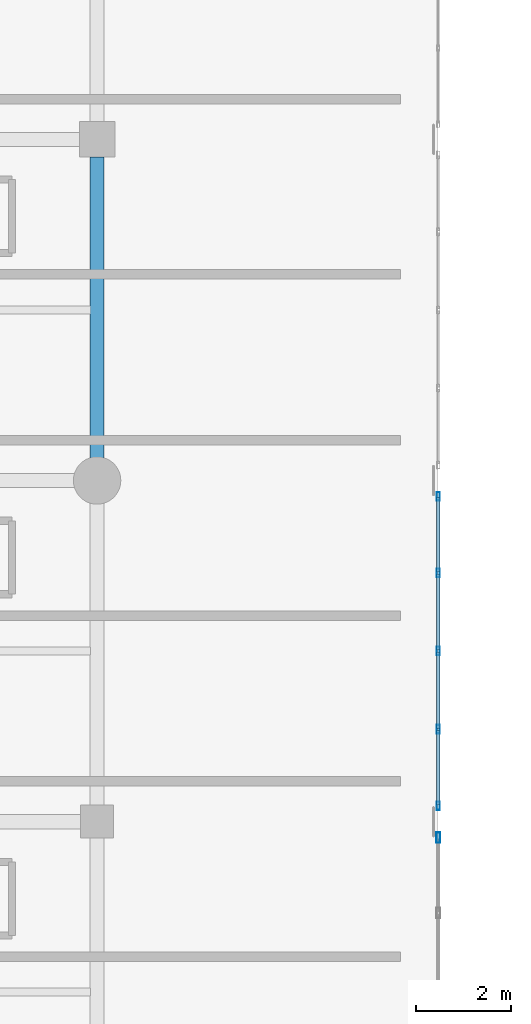
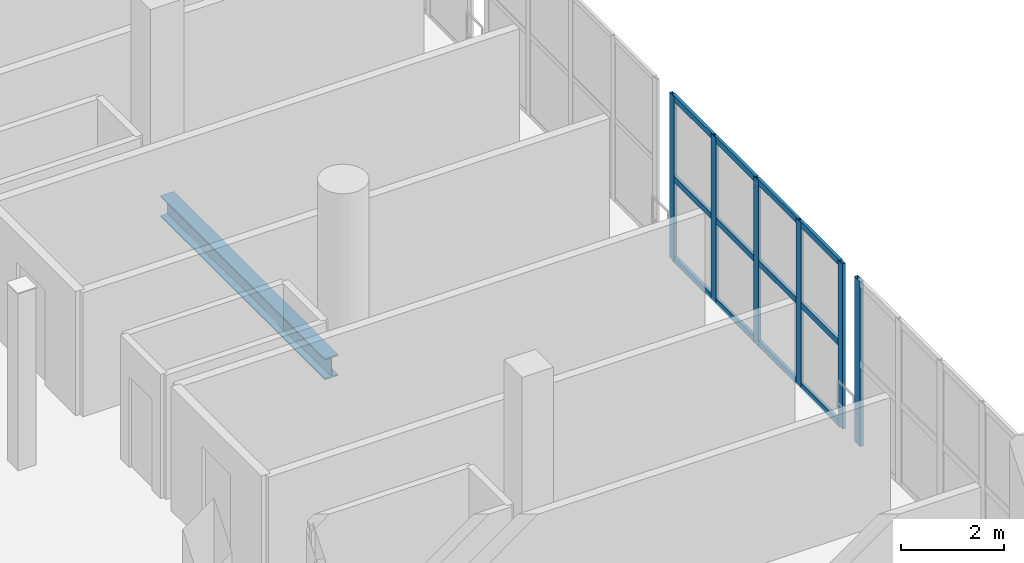
# One storey, part 61 of 130: 18 members, 1 beam, 2 elements without a shape of their own.
"""IFC4 building model written with IfcOpenShell, lengths in metres."""

from ifc_helpers import new_model, si_unit, direction, frame, origin, origin_2d, place, context, subcontext, project, spatial, hollow_rectangle, i_section, extrude, material, material_profile, profile_set, type_object, element, aggregate, save


model = new_model("IFC4")

# Units and contexts
model_context = context("Model", 3, precision=1e-05, world=origin(), true_north=direction((0.0, 1.0)))
body_context = subcontext(model_context, "Body", "Model", "MODEL_VIEW")
ifc_project = project(units=[si_unit("LENGTHUNIT", "METRE"), si_unit("AREAUNIT", "SQUARE_METRE"), si_unit("VOLUMEUNIT", "CUBIC_METRE"), si_unit("PLANEANGLEUNIT", "RADIAN"), si_unit("MASSUNIT", "GRAM", prefix="KILO")], contexts=[model_context])

# Site, building, storey
site_placement = place(None, origin())
site = spatial("IfcSite", under=ifc_project, at=site_placement, CompositionType="ELEMENT")
building_placement = place(site_placement, origin())
building = spatial("IfcBuilding", under=site, at=building_placement, Name="Qandorah Velis Arena", CompositionType="ELEMENT")
storey_placement = place(building_placement, frame((0.0, 0.0, 9.60009765625)))
storey = spatial("IfcBuildingStorey", under=building, at=storey_placement, Name="L02", CompositionType="ELEMENT", Elevation=9.60009765625)

# Curtain wall, members
ifc_material_1 = material(Name="Solar-control low-E double glazing", Category="glass")
curtain_wall_type_1 = type_object("IfcCurtainWallType", Name="ARC-CW-SYS14", PredefinedType="USERDEFINED", material=ifc_material_1)
curtain_wall_1_placement = place(storey_placement, origin())
curtain_wall_1 = element("IfcCurtainWall", 1, at=curtain_wall_1_placement, inside=storey, type_object=curtain_wall_type_1, Name="Unitised curtain wall L02-110", ObjectType="UNITISED CURTAIN WALL", PredefinedType="USERDEFINED")
ifc_material_2 = material(Name="Champagne-bronze anodized aluminium 6063-T6", Category="aluminium")
ifc_material_profile_1 = material_profile(ifc_material_2, hollow_rectangle(XDim=0.06494140625, YDim=0.179931640625, WallThickness=0.00341796875, at=origin_2d()), Name="ALU MULLION 65x180")
ifc_profile_set_1 = profile_set([ifc_material_profile_1], Name="Champagne-bronze anodized aluminium 6063-T6")
member_type_1 = type_object("IfcMemberType", Name="ARC-CWM-180", PredefinedType="MULLION", material=ifc_profile_set_1)
member_1_placement = place(storey_placement, frame((122.39990234375, 65.132568359375, -0.01513671875), z_axis=(0.0, 0.0, 1.0), x_axis=(-1.0, 0.0, 0.0)))
member_1 = element("IfcMember", 2, at=member_1_placement, type_object=member_type_1, Name="CW14 mullion 1", PredefinedType="MULLION", context=body_context, shape_type="SweptSolid", body=[
    extrude(hollow_rectangle(XDim=0.06494140625, YDim=0.179931640625, WallThickness=0.00341796875, at=origin_2d()), origin(), (0.0, 0.0, 1.0), 3.91015625),
])
member_2_placement = place(storey_placement, frame((122.39990234375, 66.75, -0.01513671875), z_axis=(0.0, 0.0, 1.0), x_axis=(-1.0, 0.0, 0.0)))
member_2 = element("IfcMember", 3, at=member_2_placement, type_object=member_type_1, Name="CW14 mullion 2", PredefinedType="MULLION", context=body_context, shape_type="SweptSolid", body=[
    extrude(hollow_rectangle(XDim=0.06494140625, YDim=0.179931640625, WallThickness=0.00341796875, at=origin_2d()), origin(), (0.0, 0.0, 1.0), 3.91015625),
])
member_3_placement = place(storey_placement, frame((122.39990234375, 68.39990234375, -0.01513671875), z_axis=(0.0, 0.0, 1.0), x_axis=(-1.0, 0.0, 0.0)))
member_3 = element("IfcMember", 4, at=member_3_placement, type_object=member_type_1, Name="CW14 mullion 3", PredefinedType="MULLION", context=body_context, shape_type="SweptSolid", body=[
    extrude(hollow_rectangle(XDim=0.06494140625, YDim=0.179931640625, WallThickness=0.00341796875, at=origin_2d()), origin(), (0.0, 0.0, 1.0), 3.91015625),
])
member_4_placement = place(storey_placement, frame((122.39990234375, 70.050048828125, -0.01513671875), z_axis=(0.0, 0.0, 1.0), x_axis=(-1.0, 0.0, 0.0)))
member_4 = element("IfcMember", 5, at=member_4_placement, type_object=member_type_1, Name="CW14 mullion 4", PredefinedType="MULLION", context=body_context, shape_type="SweptSolid", body=[
    extrude(hollow_rectangle(XDim=0.06494140625, YDim=0.179931640625, WallThickness=0.00341796875, at=origin_2d()), origin(), (0.0, 0.0, 1.0), 3.91015625),
])
member_5_placement = place(storey_placement, frame((122.39990234375, 71.66748046875, -0.01513671875), z_axis=(0.0, 0.0, 1.0), x_axis=(-1.0, 0.0, 0.0)))
member_5 = element("IfcMember", 6, at=member_5_placement, type_object=member_type_1, Name="CW14 mullion 5", PredefinedType="MULLION", context=body_context, shape_type="SweptSolid", body=[
    extrude(hollow_rectangle(XDim=0.06494140625, YDim=0.179931640625, WallThickness=0.00341796875, at=origin_2d()), origin(), (0.0, 0.0, 1.0), 3.91015625),
])

# Curtain wall, member
curtain_wall_type_2 = type_object("IfcCurtainWallType", Name="ARC-CW-SYS13", PredefinedType="USERDEFINED", material=ifc_material_1)
curtain_wall_2_placement = place(storey_placement, origin())
curtain_wall_2 = element("IfcCurtainWall", 7, at=curtain_wall_2_placement, inside=storey, type_object=curtain_wall_type_2, Name="Unitised curtain wall L02-109", ObjectType="UNITISED CURTAIN WALL", PredefinedType="USERDEFINED")
ifc_material_profile_2 = material_profile(ifc_material_2, hollow_rectangle(XDim=0.074951171875, YDim=0.219970703125, WallThickness=0.00390625, at=origin_2d()), Name="ALU MULLION 75x220")
ifc_profile_set_2 = profile_set([ifc_material_profile_2], Name="Champagne-bronze anodized aluminium 6063-T6")
member_type_2 = type_object("IfcMemberType", Name="ARC-CWM-220", PredefinedType="MULLION", material=ifc_profile_set_2)
member_6_placement = place(storey_placement, frame((122.39990234375, 64.46240234375, -0.01513671875), z_axis=(0.0, 0.0, 1.0), x_axis=(-1.0, 0.0, 0.0)))
member_6 = element("IfcMember", 8, at=member_6_placement, type_object=member_type_2, Name="CW13 mullion 5", PredefinedType="MULLION", context=body_context, shape_type="SweptSolid", body=[
    extrude(hollow_rectangle(XDim=0.074951171875, YDim=0.219970703125, WallThickness=0.00390625, at=origin_2d()), origin(), (0.0, 0.0, 1.0), 3.91015625),
])
aggregate(curtain_wall_2, [member_6])

# Member
ifc_material_profile_3 = material_profile(ifc_material_2, hollow_rectangle(XDim=0.06494140625, YDim=0.139892578125, WallThickness=0.0029296875, at=origin_2d()), Name="ALU TRANSOM 65x140")
ifc_profile_set_3 = profile_set([ifc_material_profile_3], Name="Champagne-bronze anodized aluminium 6063-T6")
member_type_3 = type_object("IfcMemberType", Name="ARC-CWT-140", PredefinedType="USERDEFINED", material=ifc_profile_set_3)
member_7_placement = place(storey_placement, frame((122.39990234375, 65.153076171875, 0.032470703125), z_axis=(0.0, 1.0, 0.0), x_axis=(-1.0, 0.0, 0.0)))
member_7 = element("IfcMember", 9, at=member_7_placement, type_object=member_type_3, Name="CW14 transom 1.1", ObjectType="TRANSOM", PredefinedType="USERDEFINED", context=body_context, shape_type="SweptSolid", body=[
    extrude(hollow_rectangle(XDim=0.06494140625, YDim=0.139892578125, WallThickness=0.0029296875, at=origin_2d()), origin(), (0.0, 0.0, 1.0), 1.576416015625),
])

member_8_placement = place(storey_placement, frame((122.39990234375, 65.153076171875, 1.93994140625), z_axis=(0.0, 1.0, 0.0), x_axis=(-1.0, 0.0, 0.0)))
member_8 = element("IfcMember", 10, at=member_8_placement, type_object=member_type_3, Name="CW14 transom 1.2", ObjectType="TRANSOM", PredefinedType="USERDEFINED", context=body_context, shape_type="SweptSolid", body=[
    extrude(hollow_rectangle(XDim=0.06494140625, YDim=0.139892578125, WallThickness=0.0029296875, at=origin_2d()), origin(), (0.0, 0.0, 1.0), 1.576416015625),
])

member_9_placement = place(storey_placement, frame((122.39990234375, 65.153076171875, 3.847412109375), z_axis=(0.0, 1.0, 0.0), x_axis=(-1.0, 0.0, 0.0)))
member_9 = element("IfcMember", 11, at=member_9_placement, type_object=member_type_3, Name="CW14 transom 1.3", ObjectType="TRANSOM", PredefinedType="USERDEFINED", context=body_context, shape_type="SweptSolid", body=[
    extrude(hollow_rectangle(XDim=0.06494140625, YDim=0.139892578125, WallThickness=0.0029296875, at=origin_2d()), origin(), (0.0, 0.0, 1.0), 1.576416015625),
])

member_10_placement = place(storey_placement, frame((122.39990234375, 66.7705078125, 0.032470703125), z_axis=(0.0, 1.0, 0.0), x_axis=(-1.0, 0.0, 0.0)))
member_10 = element("IfcMember", 12, at=member_10_placement, type_object=member_type_3, Name="CW14 transom 2.1", ObjectType="TRANSOM", PredefinedType="USERDEFINED", context=body_context, shape_type="SweptSolid", body=[
    extrude(hollow_rectangle(XDim=0.06494140625, YDim=0.139892578125, WallThickness=0.0029296875, at=origin_2d()), origin(), (0.0, 0.0, 1.0), 1.60888671875),
])

member_11_placement = place(storey_placement, frame((122.39990234375, 66.7705078125, 1.93994140625), z_axis=(0.0, 1.0, 0.0), x_axis=(-1.0, 0.0, 0.0)))
member_11 = element("IfcMember", 13, at=member_11_placement, type_object=member_type_3, Name="CW14 transom 2.2", ObjectType="TRANSOM", PredefinedType="USERDEFINED", context=body_context, shape_type="SweptSolid", body=[
    extrude(hollow_rectangle(XDim=0.06494140625, YDim=0.139892578125, WallThickness=0.0029296875, at=origin_2d()), origin(), (0.0, 0.0, 1.0), 1.60888671875),
])

member_12_placement = place(storey_placement, frame((122.39990234375, 66.7705078125, 3.847412109375), z_axis=(0.0, 1.0, 0.0), x_axis=(-1.0, 0.0, 0.0)))
member_12 = element("IfcMember", 14, at=member_12_placement, type_object=member_type_3, Name="CW14 transom 2.3", ObjectType="TRANSOM", PredefinedType="USERDEFINED", context=body_context, shape_type="SweptSolid", body=[
    extrude(hollow_rectangle(XDim=0.06494140625, YDim=0.139892578125, WallThickness=0.0029296875, at=origin_2d()), origin(), (0.0, 0.0, 1.0), 1.60888671875),
])

member_13_placement = place(storey_placement, frame((122.39990234375, 68.42041015625, 0.032470703125), z_axis=(0.0, 1.0, 0.0), x_axis=(-1.0, 0.0, 0.0)))
member_13 = element("IfcMember", 15, at=member_13_placement, type_object=member_type_3, Name="CW14 transom 3.1", ObjectType="TRANSOM", PredefinedType="USERDEFINED", context=body_context, shape_type="SweptSolid", body=[
    extrude(hollow_rectangle(XDim=0.06494140625, YDim=0.139892578125, WallThickness=0.0029296875, at=origin_2d()), origin(), (0.0, 0.0, 1.0), 1.609130859375),
])

member_14_placement = place(storey_placement, frame((122.39990234375, 68.42041015625, 1.93994140625), z_axis=(0.0, 1.0, 0.0), x_axis=(-1.0, 0.0, 0.0)))
member_14 = element("IfcMember", 16, at=member_14_placement, type_object=member_type_3, Name="CW14 transom 3.2", ObjectType="TRANSOM", PredefinedType="USERDEFINED", context=body_context, shape_type="SweptSolid", body=[
    extrude(hollow_rectangle(XDim=0.06494140625, YDim=0.139892578125, WallThickness=0.0029296875, at=origin_2d()), origin(), (0.0, 0.0, 1.0), 1.609130859375),
])

member_15_placement = place(storey_placement, frame((122.39990234375, 68.42041015625, 3.847412109375), z_axis=(0.0, 1.0, 0.0), x_axis=(-1.0, 0.0, 0.0)))
member_15 = element("IfcMember", 17, at=member_15_placement, type_object=member_type_3, Name="CW14 transom 3.3", ObjectType="TRANSOM", PredefinedType="USERDEFINED", context=body_context, shape_type="SweptSolid", body=[
    extrude(hollow_rectangle(XDim=0.06494140625, YDim=0.139892578125, WallThickness=0.0029296875, at=origin_2d()), origin(), (0.0, 0.0, 1.0), 1.609130859375),
])

member_16_placement = place(storey_placement, frame((122.39990234375, 70.070556640625, 0.032470703125), z_axis=(0.0, 1.0, 0.0), x_axis=(-1.0, 0.0, 0.0)))
member_16 = element("IfcMember", 18, at=member_16_placement, type_object=member_type_3, Name="CW14 transom 4.1", ObjectType="TRANSOM", PredefinedType="USERDEFINED", context=body_context, shape_type="SweptSolid", body=[
    extrude(hollow_rectangle(XDim=0.06494140625, YDim=0.139892578125, WallThickness=0.0029296875, at=origin_2d()), origin(), (0.0, 0.0, 1.0), 1.576416015625),
])

member_17_placement = place(storey_placement, frame((122.39990234375, 70.070556640625, 1.93994140625), z_axis=(0.0, 1.0, 0.0), x_axis=(-1.0, 0.0, 0.0)))
member_17 = element("IfcMember", 19, at=member_17_placement, type_object=member_type_3, Name="CW14 transom 4.2", ObjectType="TRANSOM", PredefinedType="USERDEFINED", context=body_context, shape_type="SweptSolid", body=[
    extrude(hollow_rectangle(XDim=0.06494140625, YDim=0.139892578125, WallThickness=0.0029296875, at=origin_2d()), origin(), (0.0, 0.0, 1.0), 1.576416015625),
])

member_18_placement = place(storey_placement, frame((122.39990234375, 70.070556640625, 3.847412109375), z_axis=(0.0, 1.0, 0.0), x_axis=(-1.0, 0.0, 0.0)))
member_18 = element("IfcMember", 20, at=member_18_placement, type_object=member_type_3, Name="CW14 transom 4.3", ObjectType="TRANSOM", PredefinedType="USERDEFINED", context=body_context, shape_type="SweptSolid", body=[
    extrude(hollow_rectangle(XDim=0.06494140625, YDim=0.139892578125, WallThickness=0.0029296875, at=origin_2d()), origin(), (0.0, 0.0, 1.0), 1.576416015625),
])

aggregate(curtain_wall_1, [member_1, member_2, member_3, member_4, member_5, member_7, member_8, member_9, member_10, member_11, member_12, member_13, member_14, member_15, member_16, member_17, member_18])

# Beam
ifc_material_3 = material(Name="Steel S355", Category="steel")
ifc_material_profile_4 = material_profile(ifc_material_3, i_section(OverallWidth=0.300048828125, OverallDepth=0.5, WebThickness=0.014404296875, FlangeThickness=0.028076171875, FilletRadius=0.027099609375, at=origin_2d()), Name="HEB 500")
ifc_profile_set_4 = profile_set([ifc_material_profile_4], Name="Steel S355")
beam_type = type_object("IfcBeamType", Name="STR-BM-HEB500", PredefinedType="BEAM", material=ifc_profile_set_4)
beam_placement = place(storey_placement, frame((115.199951171875, 72.449951171875, -0.530029296875), z_axis=(0.0, 1.0, 0.0), x_axis=(-1.0, 0.0, 0.0)))
element("IfcBeam", 21, at=beam_placement, inside=storey, type_object=beam_type, Name="Primary floor girder L02 Y-314", PredefinedType="BEAM", context=body_context, shape_type="SweptSolid", body=[
    extrude(i_section(OverallWidth=0.300048828125, OverallDepth=0.5, WebThickness=0.014404296875, FlangeThickness=0.028076171875, FilletRadius=0.027099609375, at=origin_2d()), origin(), (0.0, 0.0, 1.0), 6.375),
])

save(model, "model.ifc")
